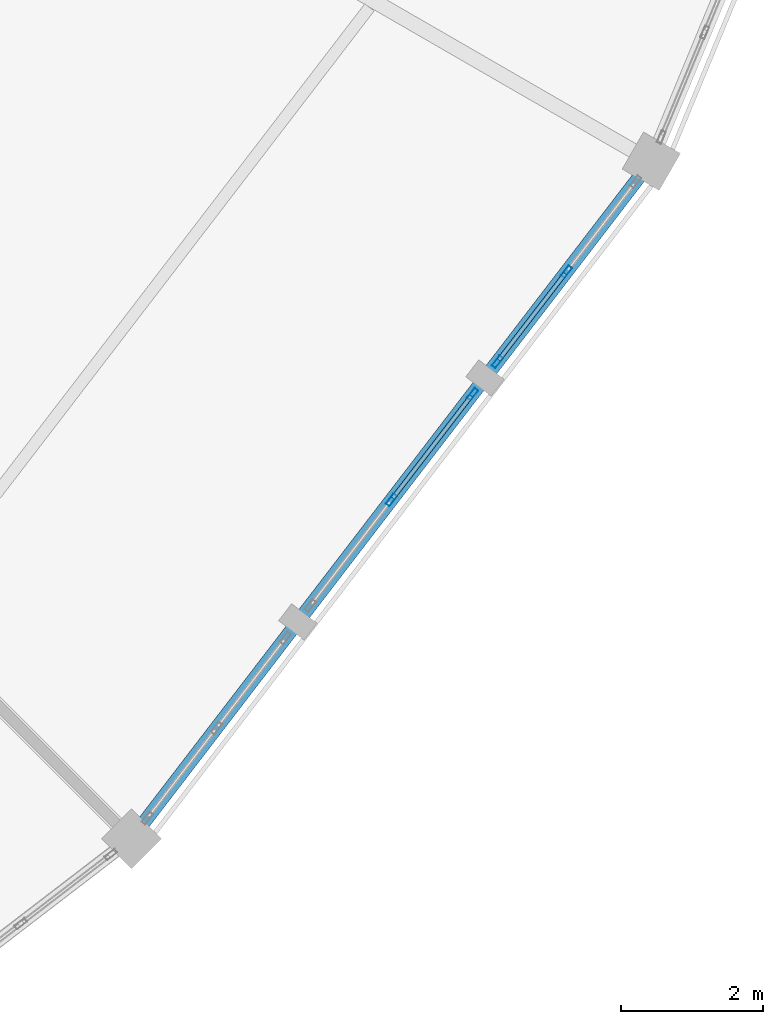
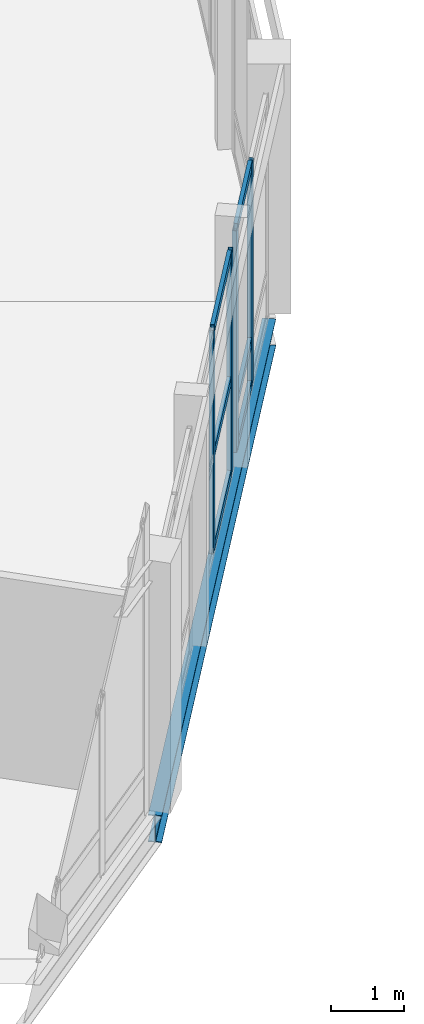
# One storey, part 95 of 170: 10 members, 1 beam, 2 elements without a shape of their own.
"""IFC4 building model written with IfcOpenShell, lengths in metres."""

from ifc_helpers import new_model, si_unit, direction, frame, origin, origin_2d, place, context, subcontext, project, spatial, hollow_rectangle, i_section, extrude, material, material_profile, profile_set, type_object, element, aggregate, save


model = new_model("IFC4")

# Units and contexts
model_context = context("Model", 3, precision=1e-05, world=origin(), true_north=direction((0.0, 1.0)))
body_context = subcontext(model_context, "Body", "Model", "MODEL_VIEW")
ifc_project = project(units=[si_unit("LENGTHUNIT", "METRE"), si_unit("AREAUNIT", "SQUARE_METRE"), si_unit("VOLUMEUNIT", "CUBIC_METRE"), si_unit("PLANEANGLEUNIT", "RADIAN"), si_unit("MASSUNIT", "GRAM", prefix="KILO")], contexts=[model_context])

# Site, building, storey
site_placement = place(None, origin())
site = spatial("IfcSite", under=ifc_project, at=site_placement, CompositionType="ELEMENT")
building_placement = place(site_placement, origin())
building = spatial("IfcBuilding", under=site, at=building_placement, Name="Vondelvale Polytechnic", CompositionType="ELEMENT")
storey_placement = place(building_placement, frame((0.0, 0.0, 5.39990234375)))
storey = spatial("IfcBuildingStorey", under=building, at=storey_placement, Name="L01", CompositionType="ELEMENT", Elevation=5.39990234375)

# Beam
ifc_material_1 = material(Name="Steel 300PLUS (fy = 300 MPa)", Category="steel")
ifc_material_profile_1 = material_profile(ifc_material_1, i_section(OverallWidth=0.18994140625, OverallDepth=0.45703125, WebThickness=0.009033203125, FlangeThickness=0.014404296875, FilletRadius=0.011474609375, at=origin_2d()), Name="460UB74.6")
ifc_profile_set_1 = profile_set([ifc_material_profile_1], Name="Steel 300PLUS (fy = 300 MPa)")
beam_type = type_object("IfcBeamType", Name="BM-UB460", PredefinedType="BEAM", material=ifc_profile_set_1)
beam_placement = place(storey_placement, frame((134.52685546875, 39.47314453125, -0.50830078125), z_axis=(0.608766116008, 0.793349743808, 0.0), x_axis=(-0.793349743808, 0.608766116008, 0.0)))
element("IfcBeam", 1, at=beam_placement, inside=storey, type_object=beam_type, Name="L01 RB B-13", PredefinedType="BEAM", context=body_context, shape_type="SweptSolid", body=[
    extrude(i_section(OverallWidth=0.18994140625, OverallDepth=0.45703125, WebThickness=0.009033203125, FlangeThickness=0.014404296875, FilletRadius=0.011474609375, at=origin_2d()), origin(), (0.0, 0.0, 1.0), 12.00830078125),
])

# Curtain wall, members
ifc_material_2 = material(Name="Glulam GL18 structural Tasmanian oak (fb = 42 MPa)", Category="wood")
curtain_wall_type = type_object("IfcCurtainWallType", Name="CW-RING-OUTER", PredefinedType="NOTDEFINED", material=ifc_material_2)
curtain_wall_1_placement = place(storey_placement, origin())
curtain_wall_1 = element("IfcCurtainWall", 2, at=curtain_wall_1_placement, inside=storey, type_object=curtain_wall_type, Name="L01 architectural curtain wall CW-04-353", PredefinedType="NOTDEFINED")
ifc_material_3 = material(Name="Anodised extruded aluminium 6063-T6", Category="aluminium")
ifc_material_profile_2 = material_profile(ifc_material_3, hollow_rectangle(XDim=0.06494140625, YDim=0.179931640625, WallThickness=0.00390625, at=origin_2d()), Name="CW-MUL-180x65")
ifc_profile_set_2 = profile_set([ifc_material_profile_2], Name="Anodised extruded aluminium 6063-T6")
member_type_1 = type_object("IfcMemberType", Name="CW-MUL-65x180", PredefinedType="MULLION", material=ifc_profile_set_2)
member_1_placement = place(storey_placement, frame((138.18212890625, 44.236572265625, 0.0), z_axis=(0.0, 0.0, 1.0), x_axis=(-0.793345851043, 0.608771189063, 0.0)))
member_1 = element("IfcMember", 3, at=member_1_placement, type_object=member_type_1, Name="CW-04-353 mullion 2", PredefinedType="MULLION", context=body_context, shape_type="SweptSolid", body=[
    extrude(hollow_rectangle(XDim=0.06494140625, YDim=0.179931640625, WallThickness=0.00390625, at=origin_2d()), origin(), (0.0, 0.0, 1.0), 3.72021484375),
])
member_2_placement = place(storey_placement, frame((139.322998046875, 45.723388671875, 0.0), z_axis=(0.0, 0.0, 1.0), x_axis=(-0.793345851043, 0.608771189063, 0.0)))
member_2 = element("IfcMember", 4, at=member_2_placement, type_object=member_type_1, Name="CW-04-353 mullion 3", PredefinedType="MULLION", context=body_context, shape_type="SweptSolid", body=[
    extrude(hollow_rectangle(XDim=0.06494140625, YDim=0.179931640625, WallThickness=0.00390625, at=origin_2d()), origin(), (0.0, 0.0, 1.0), 3.72021484375),
])

curtain_wall_2_placement = place(storey_placement, origin())
curtain_wall_2 = element("IfcCurtainWall", 5, at=curtain_wall_2_placement, inside=storey, type_object=curtain_wall_type, Name="L01 architectural curtain wall CW-04-354", PredefinedType="NOTDEFINED")
member_3_placement = place(storey_placement, frame((139.6728515625, 46.179443359375, 0.0), z_axis=(0.0, 0.0, 1.0), x_axis=(-0.793333825656, 0.608786860133, 0.0)))
member_3 = element("IfcMember", 6, at=member_3_placement, type_object=member_type_1, Name="CW-04-354 mullion 1", PredefinedType="MULLION", context=body_context, shape_type="SweptSolid", body=[
    extrude(hollow_rectangle(XDim=0.06494140625, YDim=0.179931640625, WallThickness=0.00390625, at=origin_2d()), origin(), (0.0, 0.0, 1.0), 3.72021484375),
])
member_4_placement = place(storey_placement, frame((140.643798828125, 47.44482421875, 0.0), z_axis=(0.0, 0.0, 1.0), x_axis=(-0.793333825656, 0.608786860133, 0.0)))
member_4 = element("IfcMember", 7, at=member_4_placement, type_object=member_type_1, Name="CW-04-354 mullion 2", PredefinedType="MULLION", context=body_context, shape_type="SweptSolid", body=[
    extrude(hollow_rectangle(XDim=0.06494140625, YDim=0.179931640625, WallThickness=0.00390625, at=origin_2d()), origin(), (0.0, 0.0, 1.0), 3.72021484375),
])

# Member
ifc_material_profile_3 = material_profile(ifc_material_3, hollow_rectangle(XDim=0.06005859375, YDim=0.139892578125, WallThickness=0.00341796875, at=origin_2d()), Name="CW-TRN-140x60")
ifc_profile_set_3 = profile_set([ifc_material_profile_3], Name="Anodised extruded aluminium 6063-T6")
member_type_2 = type_object("IfcMemberType", Name="CW-TRN-60x140", PredefinedType="USERDEFINED", material=ifc_profile_set_3)
member_5_placement = place(storey_placement, frame((138.201904296875, 44.262451171875, 0.030029296875), z_axis=(0.608816809849, 0.793310842007, 0.0), x_axis=(-0.793310842007, 0.608816809849, 0.0)))
member_5 = element("IfcMember", 8, at=member_5_placement, type_object=member_type_2, Name="CW-04-353 transom 2.1", ObjectType="TRANSOM", PredefinedType="USERDEFINED", context=body_context, shape_type="SweptSolid", body=[
    extrude(hollow_rectangle(XDim=0.06005859375, YDim=0.139892578125, WallThickness=0.00341796875, at=origin_2d()), origin(), (0.0, 0.0, 1.0), 1.808837890625),
])

member_6_placement = place(storey_placement, frame((138.201904296875, 44.262451171875, 1.60009765625), z_axis=(0.608816809849, 0.793310842007, 0.0), x_axis=(-0.793310842007, 0.608816809849, 0.0)))
member_6 = element("IfcMember", 9, at=member_6_placement, type_object=member_type_2, Name="CW-04-353 transom 2.2", ObjectType="TRANSOM", PredefinedType="USERDEFINED", context=body_context, shape_type="SweptSolid", body=[
    extrude(hollow_rectangle(XDim=0.06005859375, YDim=0.139892578125, WallThickness=0.00341796875, at=origin_2d()), origin(), (0.0, 0.0, 1.0), 1.808837890625),
])

member_7_placement = place(storey_placement, frame((138.201904296875, 44.262451171875, 3.690185546875), z_axis=(0.608816809849, 0.793310842007, 0.0), x_axis=(-0.793310842007, 0.608816809849, 0.0)))
member_7 = element("IfcMember", 10, at=member_7_placement, type_object=member_type_2, Name="CW-04-353 transom 2.3", ObjectType="TRANSOM", PredefinedType="USERDEFINED", context=body_context, shape_type="SweptSolid", body=[
    extrude(hollow_rectangle(XDim=0.06005859375, YDim=0.139892578125, WallThickness=0.00341796875, at=origin_2d()), origin(), (0.0, 0.0, 1.0), 1.808837890625),
])

aggregate(curtain_wall_1, [member_1, member_2, member_5, member_6, member_7])

member_8_placement = place(storey_placement, frame((139.692626953125, 46.205322265625, 0.030029296875), z_axis=(0.60882345649, 0.793305741078, 0.0), x_axis=(-0.793305741078, 0.60882345649, 0.0)))
member_8 = element("IfcMember", 11, at=member_8_placement, type_object=member_type_2, Name="CW-04-354 transom 1.1", ObjectType="TRANSOM", PredefinedType="USERDEFINED", context=body_context, shape_type="SweptSolid", body=[
    extrude(hollow_rectangle(XDim=0.06005859375, YDim=0.139892578125, WallThickness=0.00341796875, at=origin_2d()), origin(), (0.0, 0.0, 1.0), 1.52978515625),
])

member_9_placement = place(storey_placement, frame((139.692626953125, 46.205322265625, 0.75), z_axis=(0.60882345649, 0.793305741078, 0.0), x_axis=(-0.793305741078, 0.60882345649, 0.0)))
member_9 = element("IfcMember", 12, at=member_9_placement, type_object=member_type_2, Name="CW-04-354 transom 1.2", ObjectType="TRANSOM", PredefinedType="USERDEFINED", context=body_context, shape_type="SweptSolid", body=[
    extrude(hollow_rectangle(XDim=0.06005859375, YDim=0.139892578125, WallThickness=0.00341796875, at=origin_2d()), origin(), (0.0, 0.0, 1.0), 1.52978515625),
])

member_10_placement = place(storey_placement, frame((139.692626953125, 46.205322265625, 3.690185546875), z_axis=(0.60882345649, 0.793305741078, 0.0), x_axis=(-0.793305741078, 0.60882345649, 0.0)))
member_10 = element("IfcMember", 13, at=member_10_placement, type_object=member_type_2, Name="CW-04-354 transom 1.3", ObjectType="TRANSOM", PredefinedType="USERDEFINED", context=body_context, shape_type="SweptSolid", body=[
    extrude(hollow_rectangle(XDim=0.06005859375, YDim=0.139892578125, WallThickness=0.00341796875, at=origin_2d()), origin(), (0.0, 0.0, 1.0), 1.52978515625),
])

aggregate(curtain_wall_2, [member_3, member_4, member_8, member_9, member_10])

save(model, "model.ifc")
